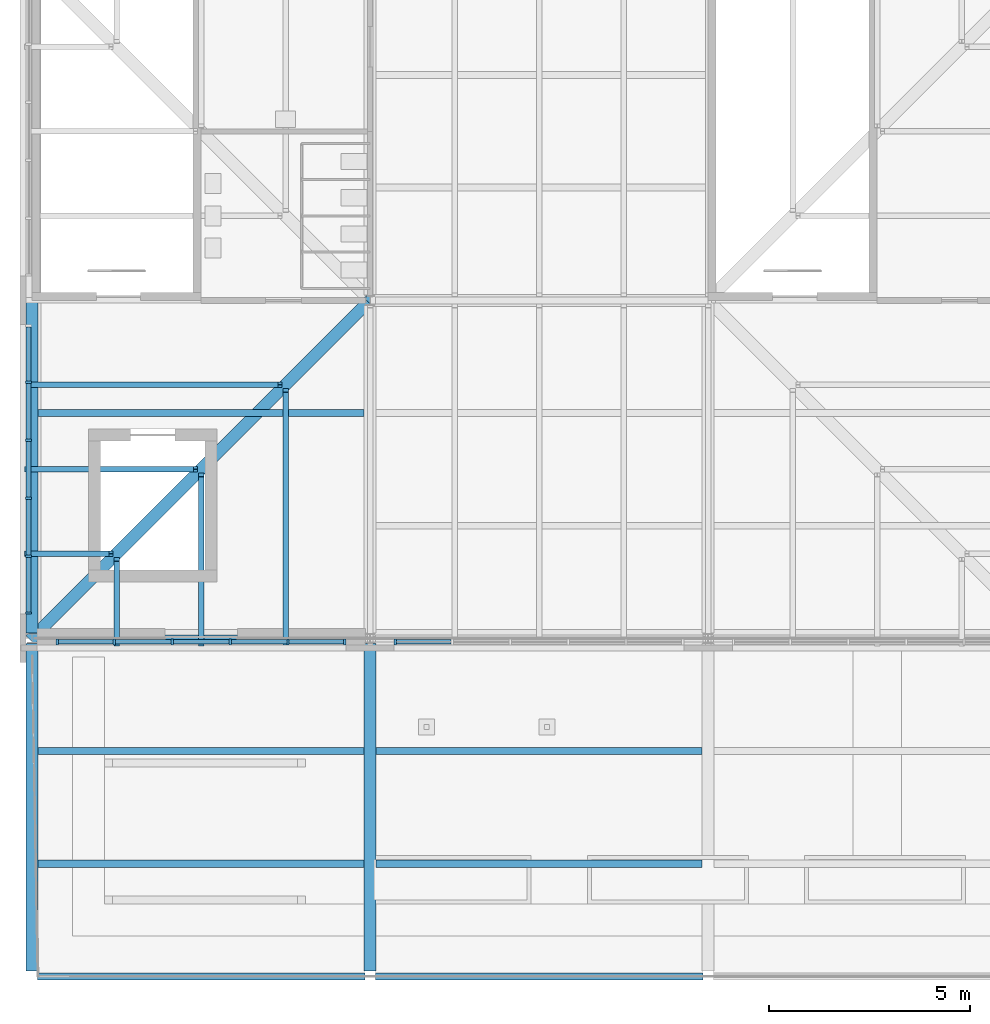
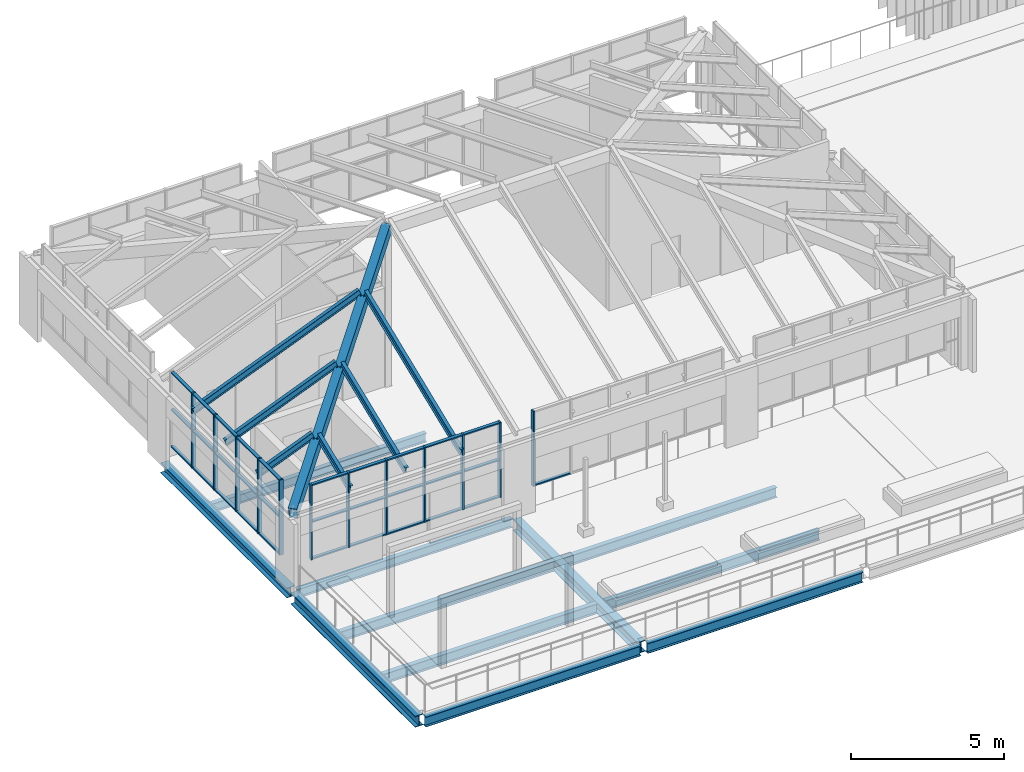
# One storey, part 7 of 126: 49 members, 12 beams, 3 elements without a shape of their own.
"""IFC4 building model written with IfcOpenShell, lengths in metres."""

from ifc_helpers import new_model, si_unit, direction, frame, origin, origin_2d, place, context, subcontext, project, spatial, polyline, rectangle, i_section, outline, extrude, material, material_profile, profile_set, type_object, element, aggregate, save


model = new_model("IFC4")

# Units and contexts
model_context = context("Model", 3, precision=1e-05, world=origin(), true_north=direction((0.0, 1.0)))
body_context = subcontext(model_context, "Body", "Model", "MODEL_VIEW")
ifc_project = project(units=[si_unit("LENGTHUNIT", "METRE"), si_unit("AREAUNIT", "SQUARE_METRE"), si_unit("VOLUMEUNIT", "CUBIC_METRE"), si_unit("PLANEANGLEUNIT", "RADIAN"), si_unit("MASSUNIT", "GRAM", prefix="KILO")], contexts=[model_context])

# Site, building, storey
site_placement = place(None, origin())
site = spatial("IfcSite", under=ifc_project, at=site_placement, CompositionType="ELEMENT")
building_placement = place(site_placement, origin())
building = spatial("IfcBuilding", under=site, at=building_placement, Name="Sava Quay Ferry Terminal", CompositionType="ELEMENT")
storey_placement = place(building_placement, frame((0.0, 0.0, 15.0)))
storey = spatial("IfcBuildingStorey", under=building, at=storey_placement, Name="L03", CompositionType="ELEMENT", Elevation=15.0)

# Beams
ifc_material_1 = material(Name="Steel S355", Category="steel")
ifc_material_profile_1 = material_profile(ifc_material_1, i_section(OverallWidth=0.169921875, OverallDepth=0.360107421875, WebThickness=0.008056640625, FlangeThickness=0.0126953125, at=origin_2d()), Name="IPE 360")
ifc_profile_set_1 = profile_set([ifc_material_profile_1], Name="Steel S355")
beam_type_1 = type_object("IfcBeamType", Name="Beam IPE 360", PredefinedType="BEAM", material=ifc_profile_set_1)
beam_1_placement = place(storey_placement, frame((0.1298828125, 33.60009765625, -0.330078125), z_axis=(1.0, 0.0, 0.0), x_axis=(0.0, 1.0, 0.0)))
element("IfcBeam", 1, at=beam_1_placement, inside=storey, type_object=beam_type_1, Name="Beam L03", PredefinedType="BEAM", context=body_context, shape_type="SweptSolid", body=[
    extrude(i_section(OverallWidth=0.169921875, OverallDepth=0.360107421875, WebThickness=0.008056640625, FlangeThickness=0.0126953125, at=origin_2d()), origin(), (0.0, 0.0, 1.0), 8.14013671875),
])
beam_2_placement = place(storey_placement, frame((0.14990234375, 39.199951171875, -0.31005859375), z_axis=(1.0, 0.0, 0.0), x_axis=(0.0, 1.0, 0.0)))
element("IfcBeam", 2, at=beam_2_placement, inside=storey, type_object=beam_type_1, Name="Secondary beam L03", PredefinedType="BEAM", context=body_context, shape_type="SweptSolid", body=[
    extrude(i_section(OverallWidth=0.169921875, OverallDepth=0.360107421875, WebThickness=0.008056640625, FlangeThickness=0.0126953125, at=origin_2d()), origin(), (0.0, 0.0, 1.0), 8.10009765625),
])
ifc_material_2 = material(Name="Steel S355", Category="steel")
ifc_material_profile_2 = material_profile(ifc_material_2, i_section(OverallWidth=0.179931640625, OverallDepth=0.39990234375, WebThickness=0.008544921875, FlangeThickness=0.013427734375, at=origin_2d()), Name="IPE 400")
ifc_profile_set_2 = profile_set([ifc_material_profile_2], Name="Steel S355")
beam_type_2 = type_object("IfcBeamType", Name="Beam IPE 400", PredefinedType="BEAM", material=ifc_profile_set_2)
beam_3_placement = place(storey_placement, frame((0.1298828125, 25.199951171875, -0.35009765625), z_axis=(1.0, 0.0, 0.0), x_axis=(0.0, 1.0, 0.0)))
element("IfcBeam", 3, at=beam_3_placement, inside=storey, type_object=beam_type_2, Name="Beam L03", PredefinedType="BEAM", context=body_context, shape_type="SweptSolid", body=[
    extrude(i_section(OverallWidth=0.179931640625, OverallDepth=0.39990234375, WebThickness=0.008544921875, FlangeThickness=0.013427734375, at=origin_2d()), origin(), (0.0, 0.0, 1.0), 8.14013671875),
])
beam_4_placement = place(storey_placement, frame((8.530029296875, 25.199951171875, -0.35009765625), z_axis=(1.0, 0.0, 0.0), x_axis=(0.0, 1.0, 0.0)))
element("IfcBeam", 4, at=beam_4_placement, inside=storey, type_object=beam_type_2, Name="Beam L03", PredefinedType="BEAM", context=body_context, shape_type="SweptSolid", body=[
    extrude(i_section(OverallWidth=0.179931640625, OverallDepth=0.39990234375, WebThickness=0.008544921875, FlangeThickness=0.013427734375, at=origin_2d()), origin(), (0.0, 0.0, 1.0), 8.139892578125),
])
for number, where, z_axis, x_axis, name in (
    (5, (0.14990234375, 28.0, -0.35009765625), (1.0, 0.0, 0.0), (0.0, 1.0, 0.0), "Secondary beam L03"),
    (6, (0.14990234375, 30.800048828125, -0.35009765625), (1.0, 0.0, 0.0), (0.0, 1.0, 0.0), "Secondary beam L03"),
):
    element("IfcBeam", number, at=place(storey_placement, frame(where, z_axis=z_axis, x_axis=x_axis)), inside=storey, type_object=beam_type_2, Name=name, PredefinedType="BEAM", context=body_context, shape_type="SweptSolid", body=[
        extrude(i_section(OverallWidth=0.179931640625, OverallDepth=0.39990234375, WebThickness=0.008544921875, FlangeThickness=0.013427734375, at=origin_2d()), origin(), (0.0, 0.0, 1.0), 8.10009765625),
    ])
for number, where, z_axis, x_axis, name in (
    (7, (8.550048828125, 28.0, -0.35009765625), (1.0, 0.0, 0.0), (0.0, 1.0, 0.0), "Secondary beam L03"),
    (8, (8.550048828125, 30.800048828125, -0.35009765625), (1.0, 0.0, 0.0), (0.0, 1.0, 0.0), "Secondary beam L03"),
):
    element("IfcBeam", number, at=place(storey_placement, frame(where, z_axis=z_axis, x_axis=x_axis)), inside=storey, type_object=beam_type_2, Name=name, PredefinedType="BEAM", context=body_context, shape_type="SweptSolid", body=[
        extrude(i_section(OverallWidth=0.179931640625, OverallDepth=0.39990234375, WebThickness=0.008544921875, FlangeThickness=0.013427734375, at=origin_2d()), origin(), (0.0, 0.0, 1.0), 8.099853515625),
    ])
ifc_material_3 = material(Name="Steel S355", Category="steel")
ifc_material_profile_3 = material_profile(ifc_material_3, outline(polyline([(-0.14990234375, -0.228515625), (0.14990234375, -0.228515625), (0.14990234375, 0.228515625), (-0.14990234375, 0.228515625), (-0.14990234375, -0.228515625)]), holes=[polyline([(-0.1298828125, -0.20849609375), (-0.1298828125, 0.20849609375), (0.1298828125, 0.20849609375), (0.1298828125, -0.20849609375), (-0.1298828125, -0.20849609375)])]), Name="Box 457x300x20 built-up")
ifc_profile_set_3 = profile_set([ifc_material_profile_3], Name="Steel S355")
beam_type_3 = type_object("IfcBeamType", Name="Fascia beam Box 457x300x20", PredefinedType="BEAM", material=ifc_profile_set_3)
beam_5_placement = place(storey_placement, frame((8.39990234375, 42.0, 6.293701171875), z_axis=(-0.679904249952, -0.679904249952, -0.274700603923), x_axis=(0.707106781187, -0.707106781187, 0.0)))
element("IfcBeam", 9, at=beam_5_placement, inside=storey, type_object=beam_type_3, Name="West pavilion hip fascia beam HI1", PredefinedType="BEAM", context=body_context, shape_type="SweptSolid", body=[
    extrude(outline(polyline([(-0.14990234375, -0.228515625), (0.14990234375, -0.228515625), (0.14990234375, 0.228515625), (-0.14990234375, 0.228515625), (-0.14990234375, -0.228515625)]), holes=[polyline([(-0.1298828125, -0.20849609375), (-0.1298828125, 0.20849609375), (0.1298828125, 0.20849609375), (0.1298828125, -0.20849609375), (-0.1298828125, -0.20849609375)])]), origin(), (0.0, 0.0, 1.0), 12.3544921875),
])
ifc_material_4 = material(Name="Steel S355", Category="steel")
ifc_material_profile_4 = material_profile(ifc_material_4, i_section(OverallWidth=0.300048828125, OverallDepth=0.389892578125, WebThickness=0.010986328125, FlangeThickness=0.01904296875, at=origin_2d()), Name="HE 400 A")
ifc_profile_set_4 = profile_set([ifc_material_profile_4], Name="Steel S355")
beam_type_4 = type_object("IfcBeamType", Name="Girder HE 400 A", PredefinedType="BEAM", material=ifc_profile_set_4)
beam_6_placement = place(storey_placement, frame((0.0, 33.72998046875, -0.324951171875), z_axis=(0.0, 1.0, 0.0), x_axis=(-1.0, 0.0, 0.0)))
element("IfcBeam", 10, at=beam_6_placement, inside=storey, type_object=beam_type_4, Name="Girder L03", PredefinedType="BEAM", context=body_context, shape_type="SweptSolid", body=[
    extrude(i_section(OverallWidth=0.300048828125, OverallDepth=0.389892578125, WebThickness=0.010986328125, FlangeThickness=0.01904296875, at=origin_2d()), origin(), (0.0, 0.0, 1.0), 8.27001953125),
])
ifc_material_5 = material(Name="Steel S355", Category="steel")
ifc_material_profile_5 = material_profile(ifc_material_5, i_section(OverallWidth=0.300048828125, OverallDepth=0.449951171875, WebThickness=0.013916015625, FlangeThickness=0.02587890625, at=origin_2d()), Name="HE 450 B")
ifc_profile_set_5 = profile_set([ifc_material_profile_5], Name="Steel S355")
beam_type_5 = type_object("IfcBeamType", Name="Girder HE 450 B", PredefinedType="BEAM", material=ifc_profile_set_5)
for number, where, z_axis, x_axis, name in (
    (11, (0.0, 25.330078125, -0.375), (0.0, 1.0, 0.0), (-1.0, 0.0, 0.0), "Girder L03"),
    (12, (8.39990234375, 25.330078125, -0.375), (0.0, 1.0, 0.0), (-1.0, 0.0, 0.0), "Girder L03"),
):
    element("IfcBeam", number, at=place(storey_placement, frame(where, z_axis=z_axis, x_axis=x_axis)), inside=storey, type_object=beam_type_5, Name=name, PredefinedType="BEAM", context=body_context, shape_type="SweptSolid", body=[
        extrude(i_section(OverallWidth=0.300048828125, OverallDepth=0.449951171875, WebThickness=0.013916015625, FlangeThickness=0.02587890625, at=origin_2d()), origin(), (0.0, 0.0, 1.0), 8.139892578125),
    ])

# Curtain wall, members
ifc_material_6 = material(Name="Aluminium and glass curtain wall, double low-e glazed", Category="aluminium")
curtain_wall_type = type_object("IfcCurtainWallType", Name="Curtain wall CW-F flank", PredefinedType="NOTDEFINED", material=ifc_material_6)
curtain_wall_1_placement = place(storey_placement, origin())
curtain_wall_1 = element("IfcCurtainWall", 13, at=curtain_wall_1_placement, inside=storey, type_object=curtain_wall_type, Name="Curtain wall W-PAV-S L03 bay 1", PredefinedType="NOTDEFINED")
ifc_material_7 = material(Name="Aluminium EN AW-6063 T6", Category="aluminium")
ifc_material_profile_6 = material_profile(ifc_material_7, rectangle(XDim=0.14990234375, YDim=0.06005859375, at=origin_2d()), Name="Mullion 60x150 aluminium")
ifc_profile_set_6 = profile_set([ifc_material_profile_6], Name="Aluminium EN AW-6063 T6")
member_type_1 = type_object("IfcMemberType", Name="Mullion 60x150 aluminium", PredefinedType="MULLION", material=ifc_profile_set_6)
member_1_placement = place(storey_placement, frame((0.6298828125, 33.514892578125, 0.89990234375), z_axis=(0.0, 0.0, 1.0), x_axis=(0.0, 1.0, 0.0)))
member_1 = element("IfcMember", 14, at=member_1_placement, type_object=member_type_1, Name="CW126 mullion 1", PredefinedType="MULLION", context=body_context, shape_type="SweptSolid", body=[
    extrude(rectangle(XDim=0.14990234375, YDim=0.06005859375, at=origin_2d()), origin(), (0.0, 0.0, 1.0), 3.0),
])
member_2_placement = place(storey_placement, frame((2.0400390625, 33.514892578125, 0.89990234375), z_axis=(0.0, 0.0, 1.0), x_axis=(0.0, 1.0, 0.0)))
member_2 = element("IfcMember", 15, at=member_2_placement, type_object=member_type_1, Name="CW126 mullion 2", PredefinedType="MULLION", context=body_context, shape_type="SweptSolid", body=[
    extrude(rectangle(XDim=0.14990234375, YDim=0.06005859375, at=origin_2d()), origin(), (0.0, 0.0, 1.0), 3.0),
])
member_3_placement = place(storey_placement, frame((3.47998046875, 33.514892578125, 0.89990234375), z_axis=(0.0, 0.0, 1.0), x_axis=(0.0, 1.0, 0.0)))
member_3 = element("IfcMember", 16, at=member_3_placement, type_object=member_type_1, Name="CW126 mullion 3", PredefinedType="MULLION", context=body_context, shape_type="SweptSolid", body=[
    extrude(rectangle(XDim=0.14990234375, YDim=0.06005859375, at=origin_2d()), origin(), (0.0, 0.0, 1.0), 3.0),
])
member_4_placement = place(storey_placement, frame((4.919921875, 33.514892578125, 0.89990234375), z_axis=(0.0, 0.0, 1.0), x_axis=(0.0, 1.0, 0.0)))
member_4 = element("IfcMember", 17, at=member_4_placement, type_object=member_type_1, Name="CW126 mullion 4", PredefinedType="MULLION", context=body_context, shape_type="SweptSolid", body=[
    extrude(rectangle(XDim=0.14990234375, YDim=0.06005859375, at=origin_2d()), origin(), (0.0, 0.0, 1.0), 3.0),
])
member_5_placement = place(storey_placement, frame((6.360107421875, 33.514892578125, 0.89990234375), z_axis=(0.0, 0.0, 1.0), x_axis=(0.0, 1.0, 0.0)))
member_5 = element("IfcMember", 18, at=member_5_placement, type_object=member_type_1, Name="CW126 mullion 5", PredefinedType="MULLION", context=body_context, shape_type="SweptSolid", body=[
    extrude(rectangle(XDim=0.14990234375, YDim=0.06005859375, at=origin_2d()), origin(), (0.0, 0.0, 1.0), 3.0),
])
member_6_placement = place(storey_placement, frame((7.77001953125, 33.514892578125, 0.89990234375), z_axis=(0.0, 0.0, 1.0), x_axis=(0.0, 1.0, 0.0)))
member_6 = element("IfcMember", 19, at=member_6_placement, type_object=member_type_1, Name="CW126 mullion 6", PredefinedType="MULLION", context=body_context, shape_type="SweptSolid", body=[
    extrude(rectangle(XDim=0.14990234375, YDim=0.06005859375, at=origin_2d()), origin(), (0.0, 0.0, 1.0), 3.0),
])

# Curtain wall, member
curtain_wall_2_placement = place(storey_placement, origin())
curtain_wall_2 = element("IfcCurtainWall", 20, at=curtain_wall_2_placement, inside=storey, type_object=curtain_wall_type, Name="Curtain wall W-PAV-S L03 bay 2", PredefinedType="NOTDEFINED")
member_7_placement = place(storey_placement, frame((9.030029296875, 33.514892578125, 0.89990234375), z_axis=(0.0, 0.0, 1.0), x_axis=(0.0, 1.0, 0.0)))
member_7 = element("IfcMember", 21, at=member_7_placement, type_object=member_type_1, Name="CW127 mullion 1", PredefinedType="MULLION", context=body_context, shape_type="SweptSolid", body=[
    extrude(rectangle(XDim=0.14990234375, YDim=0.06005859375, at=origin_2d()), origin(), (0.0, 0.0, 1.0), 3.0),
])

# Curtain wall, members
curtain_wall_3_placement = place(storey_placement, origin())
curtain_wall_3 = element("IfcCurtainWall", 22, at=curtain_wall_3_placement, inside=storey, type_object=curtain_wall_type, Name="Curtain wall W-PAV-W L03 bay 1", PredefinedType="NOTDEFINED")
member_8_placement = place(storey_placement, frame((-0.0849609375, 34.22998046875, 0.89990234375), z_axis=(0.0, 0.0, 1.0), x_axis=(-1.0, 0.0, 0.0)))
member_8 = element("IfcMember", 23, at=member_8_placement, type_object=member_type_1, Name="CW129 mullion 1", PredefinedType="MULLION", context=body_context, shape_type="SweptSolid", body=[
    extrude(rectangle(XDim=0.14990234375, YDim=0.06005859375, at=origin_2d()), origin(), (0.0, 0.0, 1.0), 3.0),
])
member_9_placement = place(storey_placement, frame((-0.0849609375, 35.639892578125, 0.89990234375), z_axis=(0.0, 0.0, 1.0), x_axis=(-1.0, 0.0, 0.0)))
member_9 = element("IfcMember", 24, at=member_9_placement, type_object=member_type_1, Name="CW129 mullion 2", PredefinedType="MULLION", context=body_context, shape_type="SweptSolid", body=[
    extrude(rectangle(XDim=0.14990234375, YDim=0.06005859375, at=origin_2d()), origin(), (0.0, 0.0, 1.0), 3.0),
])
member_10_placement = place(storey_placement, frame((-0.0849609375, 37.080078125, 0.89990234375), z_axis=(0.0, 0.0, 1.0), x_axis=(-1.0, 0.0, 0.0)))
member_10 = element("IfcMember", 25, at=member_10_placement, type_object=member_type_1, Name="CW129 mullion 3", PredefinedType="MULLION", context=body_context, shape_type="SweptSolid", body=[
    extrude(rectangle(XDim=0.14990234375, YDim=0.06005859375, at=origin_2d()), origin(), (0.0, 0.0, 1.0), 3.0),
])
member_11_placement = place(storey_placement, frame((-0.0849609375, 38.52001953125, 0.89990234375), z_axis=(0.0, 0.0, 1.0), x_axis=(-1.0, 0.0, 0.0)))
member_11 = element("IfcMember", 26, at=member_11_placement, type_object=member_type_1, Name="CW129 mullion 4", PredefinedType="MULLION", context=body_context, shape_type="SweptSolid", body=[
    extrude(rectangle(XDim=0.14990234375, YDim=0.06005859375, at=origin_2d()), origin(), (0.0, 0.0, 1.0), 3.0),
])
member_12_placement = place(storey_placement, frame((-0.0849609375, 39.9599609375, 0.89990234375), z_axis=(0.0, 0.0, 1.0), x_axis=(-1.0, 0.0, 0.0)))
member_12 = element("IfcMember", 27, at=member_12_placement, type_object=member_type_1, Name="CW129 mullion 5", PredefinedType="MULLION", context=body_context, shape_type="SweptSolid", body=[
    extrude(rectangle(XDim=0.14990234375, YDim=0.06005859375, at=origin_2d()), origin(), (0.0, 0.0, 1.0), 3.0),
])

# Members
ifc_material_8 = material(Name="Steel S355", Category="steel")
ifc_material_profile_7 = material_profile(ifc_material_8, i_section(OverallWidth=0.135009765625, OverallDepth=0.27001953125, WebThickness=0.006591796875, FlangeThickness=0.01025390625, at=origin_2d()), Name="IPE 270")
ifc_profile_set_7 = profile_set([ifc_material_profile_7], Name="Steel S355")
member_type_2 = type_object("IfcMemberType", Name="Roof rafter IPE 270", PredefinedType="RAFTER", material=ifc_profile_set_7)
member_13_placement = place(storey_placement, frame((2.10009765625, 33.4638671875, 3.237060546875), z_axis=(0.0, 0.927184961662, 0.374603853247), x_axis=(-1.0, 0.0, 0.0)))
element("IfcMember", 28, at=member_13_placement, inside=storey, type_object=member_type_2, Name="West pavilion rafter RA1", PredefinedType="RAFTER", context=body_context, shape_type="SweptSolid", body=[
    extrude(i_section(OverallWidth=0.135009765625, OverallDepth=0.27001953125, WebThickness=0.006591796875, FlangeThickness=0.01025390625, at=origin_2d()), origin(), (0.0, 0.0, 1.0), 2.2646484375),
])
member_14_placement = place(storey_placement, frame((4.199951171875, 33.4638671875, 3.237060546875), z_axis=(0.0, 0.927192524754, 0.374585133235), x_axis=(-1.0, 0.0, 0.0)))
element("IfcMember", 29, at=member_14_placement, inside=storey, type_object=member_type_2, Name="West pavilion rafter RA2", PredefinedType="RAFTER", context=body_context, shape_type="SweptSolid", body=[
    extrude(i_section(OverallWidth=0.135009765625, OverallDepth=0.27001953125, WebThickness=0.006591796875, FlangeThickness=0.01025390625, at=origin_2d()), origin(), (0.0, 0.0, 1.0), 4.52978515625),
])
for number, where, z_axis, x_axis, name in (
    (30, (6.300048828125, 33.4638671875, 3.237060546875), (0.0, 0.927182566132, 0.374609782387), (-1.0, 0.0, 0.0), "West pavilion rafter RA3"),
    (31, (-0.13623046875, 39.89990234375, 3.237060546875), (0.927182566132, 0.0, 0.374609782387), (0.0, 1.0, 0.0), "West pavilion rafter RA34"),
):
    element("IfcMember", number, at=place(storey_placement, frame(where, z_axis=z_axis, x_axis=x_axis)), inside=storey, type_object=member_type_2, Name=name, PredefinedType="RAFTER", context=body_context, shape_type="SweptSolid", body=[
        extrude(i_section(OverallWidth=0.135009765625, OverallDepth=0.27001953125, WebThickness=0.006591796875, FlangeThickness=0.01025390625, at=origin_2d()), origin(), (0.0, 0.0, 1.0), 6.794921875),
    ])
member_15_placement = place(storey_placement, frame((-0.13623046875, 37.800048828125, 3.237060546875), z_axis=(0.927192524754, 0.0, 0.374585133235), x_axis=(0.0, 1.0, 0.0)))
element("IfcMember", 32, at=member_15_placement, inside=storey, type_object=member_type_2, Name="West pavilion rafter RA35", PredefinedType="RAFTER", context=body_context, shape_type="SweptSolid", body=[
    extrude(i_section(OverallWidth=0.135009765625, OverallDepth=0.27001953125, WebThickness=0.006591796875, FlangeThickness=0.01025390625, at=origin_2d()), origin(), (0.0, 0.0, 1.0), 4.52978515625),
])
member_16_placement = place(storey_placement, frame((-0.13623046875, 35.699951171875, 3.237060546875), z_axis=(0.927200086712, 0.0, 0.374566414941), x_axis=(0.0, 1.0, 0.0)))
element("IfcMember", 33, at=member_16_placement, inside=storey, type_object=member_type_2, Name="West pavilion rafter RA36", PredefinedType="RAFTER", context=body_context, shape_type="SweptSolid", body=[
    extrude(i_section(OverallWidth=0.135009765625, OverallDepth=0.27001953125, WebThickness=0.006591796875, FlangeThickness=0.01025390625, at=origin_2d()), origin(), (0.0, 0.0, 1.0), 2.264892578125),
])

# Member
ifc_material_9 = material(Name="Aluminium EN AW-6063 T6", Category="aluminium")
ifc_material_profile_8 = material_profile(ifc_material_9, rectangle(XDim=0.1201171875, YDim=0.050048828125, at=origin_2d()), Name="Transom 50x120 aluminium")
ifc_profile_set_8 = profile_set([ifc_material_profile_8], Name="Aluminium EN AW-6063 T6")
member_type_3 = type_object("IfcMemberType", Name="Transom 50x120 aluminium", PredefinedType="USERDEFINED", material=ifc_profile_set_8)
member_17_placement = place(storey_placement, frame((0.659912109375, 33.514892578125, 0.925048828125), z_axis=(1.0, 0.0, 0.0), x_axis=(0.0, 1.0, 0.0)))
member_17 = element("IfcMember", 34, at=member_17_placement, type_object=member_type_3, Name="CW126 transom 1.1", ObjectType="TRANSOM", PredefinedType="USERDEFINED", context=body_context, shape_type="SweptSolid", body=[
    extrude(rectangle(XDim=0.1201171875, YDim=0.050048828125, at=origin_2d()), origin(), (0.0, 0.0, 1.0), 1.35009765625),
])

member_18_placement = place(storey_placement, frame((0.659912109375, 33.514892578125, 2.39990234375), z_axis=(1.0, 0.0, 0.0), x_axis=(0.0, 1.0, 0.0)))
member_18 = element("IfcMember", 35, at=member_18_placement, type_object=member_type_3, Name="CW126 transom 1.2", ObjectType="TRANSOM", PredefinedType="USERDEFINED", context=body_context, shape_type="SweptSolid", body=[
    extrude(rectangle(XDim=0.1201171875, YDim=0.050048828125, at=origin_2d()), origin(), (0.0, 0.0, 1.0), 1.35009765625),
])

member_19_placement = place(storey_placement, frame((0.659912109375, 33.514892578125, 3.875), z_axis=(1.0, 0.0, 0.0), x_axis=(0.0, 1.0, 0.0)))
member_19 = element("IfcMember", 36, at=member_19_placement, type_object=member_type_3, Name="CW126 transom 1.3", ObjectType="TRANSOM", PredefinedType="USERDEFINED", context=body_context, shape_type="SweptSolid", body=[
    extrude(rectangle(XDim=0.1201171875, YDim=0.050048828125, at=origin_2d()), origin(), (0.0, 0.0, 1.0), 1.35009765625),
])

member_20_placement = place(storey_placement, frame((2.070068359375, 33.514892578125, 0.925048828125), z_axis=(1.0, 0.0, 0.0), x_axis=(0.0, 1.0, 0.0)))
member_20 = element("IfcMember", 37, at=member_20_placement, type_object=member_type_3, Name="CW126 transom 2.1", ObjectType="TRANSOM", PredefinedType="USERDEFINED", context=body_context, shape_type="SweptSolid", body=[
    extrude(rectangle(XDim=0.1201171875, YDim=0.050048828125, at=origin_2d()), origin(), (0.0, 0.0, 1.0), 1.3798828125),
])

member_21_placement = place(storey_placement, frame((2.070068359375, 33.514892578125, 2.39990234375), z_axis=(1.0, 0.0, 0.0), x_axis=(0.0, 1.0, 0.0)))
member_21 = element("IfcMember", 38, at=member_21_placement, type_object=member_type_3, Name="CW126 transom 2.2", ObjectType="TRANSOM", PredefinedType="USERDEFINED", context=body_context, shape_type="SweptSolid", body=[
    extrude(rectangle(XDim=0.1201171875, YDim=0.050048828125, at=origin_2d()), origin(), (0.0, 0.0, 1.0), 1.3798828125),
])

member_22_placement = place(storey_placement, frame((2.070068359375, 33.514892578125, 3.875), z_axis=(1.0, 0.0, 0.0), x_axis=(0.0, 1.0, 0.0)))
member_22 = element("IfcMember", 39, at=member_22_placement, type_object=member_type_3, Name="CW126 transom 2.3", ObjectType="TRANSOM", PredefinedType="USERDEFINED", context=body_context, shape_type="SweptSolid", body=[
    extrude(rectangle(XDim=0.1201171875, YDim=0.050048828125, at=origin_2d()), origin(), (0.0, 0.0, 1.0), 1.3798828125),
])

member_23_placement = place(storey_placement, frame((3.510009765625, 33.514892578125, 0.925048828125), z_axis=(1.0, 0.0, 0.0), x_axis=(0.0, 1.0, 0.0)))
member_23 = element("IfcMember", 40, at=member_23_placement, type_object=member_type_3, Name="CW126 transom 3.1", ObjectType="TRANSOM", PredefinedType="USERDEFINED", context=body_context, shape_type="SweptSolid", body=[
    extrude(rectangle(XDim=0.1201171875, YDim=0.050048828125, at=origin_2d()), origin(), (0.0, 0.0, 1.0), 1.3798828125),
])

member_24_placement = place(storey_placement, frame((3.510009765625, 33.514892578125, 2.39990234375), z_axis=(1.0, 0.0, 0.0), x_axis=(0.0, 1.0, 0.0)))
member_24 = element("IfcMember", 41, at=member_24_placement, type_object=member_type_3, Name="CW126 transom 3.2", ObjectType="TRANSOM", PredefinedType="USERDEFINED", context=body_context, shape_type="SweptSolid", body=[
    extrude(rectangle(XDim=0.1201171875, YDim=0.050048828125, at=origin_2d()), origin(), (0.0, 0.0, 1.0), 1.3798828125),
])

member_25_placement = place(storey_placement, frame((3.510009765625, 33.514892578125, 3.875), z_axis=(1.0, 0.0, 0.0), x_axis=(0.0, 1.0, 0.0)))
member_25 = element("IfcMember", 42, at=member_25_placement, type_object=member_type_3, Name="CW126 transom 3.3", ObjectType="TRANSOM", PredefinedType="USERDEFINED", context=body_context, shape_type="SweptSolid", body=[
    extrude(rectangle(XDim=0.1201171875, YDim=0.050048828125, at=origin_2d()), origin(), (0.0, 0.0, 1.0), 1.3798828125),
])

member_26_placement = place(storey_placement, frame((4.949951171875, 33.514892578125, 0.925048828125), z_axis=(1.0, 0.0, 0.0), x_axis=(0.0, 1.0, 0.0)))
member_26 = element("IfcMember", 43, at=member_26_placement, type_object=member_type_3, Name="CW126 transom 4.1", ObjectType="TRANSOM", PredefinedType="USERDEFINED", context=body_context, shape_type="SweptSolid", body=[
    extrude(rectangle(XDim=0.1201171875, YDim=0.050048828125, at=origin_2d()), origin(), (0.0, 0.0, 1.0), 1.380126953125),
])

member_27_placement = place(storey_placement, frame((4.949951171875, 33.514892578125, 2.39990234375), z_axis=(1.0, 0.0, 0.0), x_axis=(0.0, 1.0, 0.0)))
member_27 = element("IfcMember", 44, at=member_27_placement, type_object=member_type_3, Name="CW126 transom 4.2", ObjectType="TRANSOM", PredefinedType="USERDEFINED", context=body_context, shape_type="SweptSolid", body=[
    extrude(rectangle(XDim=0.1201171875, YDim=0.050048828125, at=origin_2d()), origin(), (0.0, 0.0, 1.0), 1.380126953125),
])

member_28_placement = place(storey_placement, frame((4.949951171875, 33.514892578125, 3.875), z_axis=(1.0, 0.0, 0.0), x_axis=(0.0, 1.0, 0.0)))
member_28 = element("IfcMember", 45, at=member_28_placement, type_object=member_type_3, Name="CW126 transom 4.3", ObjectType="TRANSOM", PredefinedType="USERDEFINED", context=body_context, shape_type="SweptSolid", body=[
    extrude(rectangle(XDim=0.1201171875, YDim=0.050048828125, at=origin_2d()), origin(), (0.0, 0.0, 1.0), 1.380126953125),
])

member_29_placement = place(storey_placement, frame((6.389892578125, 33.514892578125, 0.925048828125), z_axis=(1.0, 0.0, 0.0), x_axis=(0.0, 1.0, 0.0)))
member_29 = element("IfcMember", 46, at=member_29_placement, type_object=member_type_3, Name="CW126 transom 5.1", ObjectType="TRANSOM", PredefinedType="USERDEFINED", context=body_context, shape_type="SweptSolid", body=[
    extrude(rectangle(XDim=0.1201171875, YDim=0.050048828125, at=origin_2d()), origin(), (0.0, 0.0, 1.0), 1.35009765625),
])

member_30_placement = place(storey_placement, frame((6.389892578125, 33.514892578125, 2.39990234375), z_axis=(1.0, 0.0, 0.0), x_axis=(0.0, 1.0, 0.0)))
member_30 = element("IfcMember", 47, at=member_30_placement, type_object=member_type_3, Name="CW126 transom 5.2", ObjectType="TRANSOM", PredefinedType="USERDEFINED", context=body_context, shape_type="SweptSolid", body=[
    extrude(rectangle(XDim=0.1201171875, YDim=0.050048828125, at=origin_2d()), origin(), (0.0, 0.0, 1.0), 1.35009765625),
])

member_31_placement = place(storey_placement, frame((6.389892578125, 33.514892578125, 3.875), z_axis=(1.0, 0.0, 0.0), x_axis=(0.0, 1.0, 0.0)))
member_31 = element("IfcMember", 48, at=member_31_placement, type_object=member_type_3, Name="CW126 transom 5.3", ObjectType="TRANSOM", PredefinedType="USERDEFINED", context=body_context, shape_type="SweptSolid", body=[
    extrude(rectangle(XDim=0.1201171875, YDim=0.050048828125, at=origin_2d()), origin(), (0.0, 0.0, 1.0), 1.35009765625),
])

aggregate(curtain_wall_1, [member_1, member_2, member_3, member_4, member_5, member_6, member_17, member_18, member_19, member_20, member_21, member_22, member_23, member_24, member_25, member_26, member_27, member_28, member_29, member_30, member_31])

member_32_placement = place(storey_placement, frame((9.06005859375, 33.514892578125, 0.925048828125), z_axis=(1.0, 0.0, 0.0), x_axis=(0.0, 1.0, 0.0)))
member_32 = element("IfcMember", 49, at=member_32_placement, type_object=member_type_3, Name="CW127 transom 1.1", ObjectType="TRANSOM", PredefinedType="USERDEFINED", context=body_context, shape_type="SweptSolid", body=[
    extrude(rectangle(XDim=0.1201171875, YDim=0.050048828125, at=origin_2d()), origin(), (0.0, 0.0, 1.0), 1.349853515625),
])

aggregate(curtain_wall_2, [member_7, member_32])

member_33_placement = place(storey_placement, frame((-0.0849609375, 34.260009765625, 0.925048828125), z_axis=(0.0, 1.0, 0.0), x_axis=(-1.0, 0.0, 0.0)))
member_33 = element("IfcMember", 50, at=member_33_placement, type_object=member_type_3, Name="CW129 transom 1.1", ObjectType="TRANSOM", PredefinedType="USERDEFINED", context=body_context, shape_type="SweptSolid", body=[
    extrude(rectangle(XDim=0.1201171875, YDim=0.050048828125, at=origin_2d()), origin(), (0.0, 0.0, 1.0), 1.35009765625),
])

member_34_placement = place(storey_placement, frame((-0.0849609375, 34.260009765625, 2.39990234375), z_axis=(0.0, 1.0, 0.0), x_axis=(-1.0, 0.0, 0.0)))
member_34 = element("IfcMember", 51, at=member_34_placement, type_object=member_type_3, Name="CW129 transom 1.2", ObjectType="TRANSOM", PredefinedType="USERDEFINED", context=body_context, shape_type="SweptSolid", body=[
    extrude(rectangle(XDim=0.1201171875, YDim=0.050048828125, at=origin_2d()), origin(), (0.0, 0.0, 1.0), 1.35009765625),
])

member_35_placement = place(storey_placement, frame((-0.0849609375, 34.260009765625, 3.875), z_axis=(0.0, 1.0, 0.0), x_axis=(-1.0, 0.0, 0.0)))
member_35 = element("IfcMember", 52, at=member_35_placement, type_object=member_type_3, Name="CW129 transom 1.3", ObjectType="TRANSOM", PredefinedType="USERDEFINED", context=body_context, shape_type="SweptSolid", body=[
    extrude(rectangle(XDim=0.1201171875, YDim=0.050048828125, at=origin_2d()), origin(), (0.0, 0.0, 1.0), 1.35009765625),
])

member_36_placement = place(storey_placement, frame((-0.0849609375, 35.669921875, 0.925048828125), z_axis=(0.0, 1.0, 0.0), x_axis=(-1.0, 0.0, 0.0)))
member_36 = element("IfcMember", 53, at=member_36_placement, type_object=member_type_3, Name="CW129 transom 2.1", ObjectType="TRANSOM", PredefinedType="USERDEFINED", context=body_context, shape_type="SweptSolid", body=[
    extrude(rectangle(XDim=0.1201171875, YDim=0.050048828125, at=origin_2d()), origin(), (0.0, 0.0, 1.0), 1.380126953125),
])

member_37_placement = place(storey_placement, frame((-0.0849609375, 35.669921875, 2.39990234375), z_axis=(0.0, 1.0, 0.0), x_axis=(-1.0, 0.0, 0.0)))
member_37 = element("IfcMember", 54, at=member_37_placement, type_object=member_type_3, Name="CW129 transom 2.2", ObjectType="TRANSOM", PredefinedType="USERDEFINED", context=body_context, shape_type="SweptSolid", body=[
    extrude(rectangle(XDim=0.1201171875, YDim=0.050048828125, at=origin_2d()), origin(), (0.0, 0.0, 1.0), 1.380126953125),
])

member_38_placement = place(storey_placement, frame((-0.0849609375, 35.669921875, 3.875), z_axis=(0.0, 1.0, 0.0), x_axis=(-1.0, 0.0, 0.0)))
member_38 = element("IfcMember", 55, at=member_38_placement, type_object=member_type_3, Name="CW129 transom 2.3", ObjectType="TRANSOM", PredefinedType="USERDEFINED", context=body_context, shape_type="SweptSolid", body=[
    extrude(rectangle(XDim=0.1201171875, YDim=0.050048828125, at=origin_2d()), origin(), (0.0, 0.0, 1.0), 1.380126953125),
])

member_39_placement = place(storey_placement, frame((-0.0849609375, 37.110107421875, 0.925048828125), z_axis=(0.0, 1.0, 0.0), x_axis=(-1.0, 0.0, 0.0)))
member_39 = element("IfcMember", 56, at=member_39_placement, type_object=member_type_3, Name="CW129 transom 3.1", ObjectType="TRANSOM", PredefinedType="USERDEFINED", context=body_context, shape_type="SweptSolid", body=[
    extrude(rectangle(XDim=0.1201171875, YDim=0.050048828125, at=origin_2d()), origin(), (0.0, 0.0, 1.0), 1.3798828125),
])

member_40_placement = place(storey_placement, frame((-0.0849609375, 37.110107421875, 2.39990234375), z_axis=(0.0, 1.0, 0.0), x_axis=(-1.0, 0.0, 0.0)))
member_40 = element("IfcMember", 57, at=member_40_placement, type_object=member_type_3, Name="CW129 transom 3.2", ObjectType="TRANSOM", PredefinedType="USERDEFINED", context=body_context, shape_type="SweptSolid", body=[
    extrude(rectangle(XDim=0.1201171875, YDim=0.050048828125, at=origin_2d()), origin(), (0.0, 0.0, 1.0), 1.3798828125),
])

member_41_placement = place(storey_placement, frame((-0.0849609375, 37.110107421875, 3.875), z_axis=(0.0, 1.0, 0.0), x_axis=(-1.0, 0.0, 0.0)))
member_41 = element("IfcMember", 58, at=member_41_placement, type_object=member_type_3, Name="CW129 transom 3.3", ObjectType="TRANSOM", PredefinedType="USERDEFINED", context=body_context, shape_type="SweptSolid", body=[
    extrude(rectangle(XDim=0.1201171875, YDim=0.050048828125, at=origin_2d()), origin(), (0.0, 0.0, 1.0), 1.3798828125),
])

member_42_placement = place(storey_placement, frame((-0.0849609375, 38.550048828125, 0.925048828125), z_axis=(0.0, 1.0, 0.0), x_axis=(-1.0, 0.0, 0.0)))
member_42 = element("IfcMember", 59, at=member_42_placement, type_object=member_type_3, Name="CW129 transom 4.1", ObjectType="TRANSOM", PredefinedType="USERDEFINED", context=body_context, shape_type="SweptSolid", body=[
    extrude(rectangle(XDim=0.1201171875, YDim=0.050048828125, at=origin_2d()), origin(), (0.0, 0.0, 1.0), 1.3798828125),
])

member_43_placement = place(storey_placement, frame((-0.0849609375, 38.550048828125, 2.39990234375), z_axis=(0.0, 1.0, 0.0), x_axis=(-1.0, 0.0, 0.0)))
member_43 = element("IfcMember", 60, at=member_43_placement, type_object=member_type_3, Name="CW129 transom 4.2", ObjectType="TRANSOM", PredefinedType="USERDEFINED", context=body_context, shape_type="SweptSolid", body=[
    extrude(rectangle(XDim=0.1201171875, YDim=0.050048828125, at=origin_2d()), origin(), (0.0, 0.0, 1.0), 1.3798828125),
])

member_44_placement = place(storey_placement, frame((-0.0849609375, 38.550048828125, 3.875), z_axis=(0.0, 1.0, 0.0), x_axis=(-1.0, 0.0, 0.0)))
member_44 = element("IfcMember", 61, at=member_44_placement, type_object=member_type_3, Name="CW129 transom 4.3", ObjectType="TRANSOM", PredefinedType="USERDEFINED", context=body_context, shape_type="SweptSolid", body=[
    extrude(rectangle(XDim=0.1201171875, YDim=0.050048828125, at=origin_2d()), origin(), (0.0, 0.0, 1.0), 1.3798828125),
])

member_45_placement = place(storey_placement, frame((-0.0849609375, 39.989990234375, 0.925048828125), z_axis=(0.0, 1.0, 0.0), x_axis=(-1.0, 0.0, 0.0)))
member_45 = element("IfcMember", 62, at=member_45_placement, type_object=member_type_3, Name="CW129 transom 5.1", ObjectType="TRANSOM", PredefinedType="USERDEFINED", context=body_context, shape_type="SweptSolid", body=[
    extrude(rectangle(XDim=0.1201171875, YDim=0.050048828125, at=origin_2d()), origin(), (0.0, 0.0, 1.0), 1.35009765625),
])

member_46_placement = place(storey_placement, frame((-0.0849609375, 39.989990234375, 2.39990234375), z_axis=(0.0, 1.0, 0.0), x_axis=(-1.0, 0.0, 0.0)))
member_46 = element("IfcMember", 63, at=member_46_placement, type_object=member_type_3, Name="CW129 transom 5.2", ObjectType="TRANSOM", PredefinedType="USERDEFINED", context=body_context, shape_type="SweptSolid", body=[
    extrude(rectangle(XDim=0.1201171875, YDim=0.050048828125, at=origin_2d()), origin(), (0.0, 0.0, 1.0), 1.35009765625),
])

member_47_placement = place(storey_placement, frame((-0.0849609375, 39.989990234375, 3.875), z_axis=(0.0, 1.0, 0.0), x_axis=(-1.0, 0.0, 0.0)))
member_47 = element("IfcMember", 64, at=member_47_placement, type_object=member_type_3, Name="CW129 transom 5.3", ObjectType="TRANSOM", PredefinedType="USERDEFINED", context=body_context, shape_type="SweptSolid", body=[
    extrude(rectangle(XDim=0.1201171875, YDim=0.050048828125, at=origin_2d()), origin(), (0.0, 0.0, 1.0), 1.35009765625),
])

aggregate(curtain_wall_3, [member_8, member_9, member_10, member_11, member_12, member_33, member_34, member_35, member_36, member_37, member_38, member_39, member_40, member_41, member_42, member_43, member_44, member_45, member_46, member_47])

save(model, "model.ifc")
